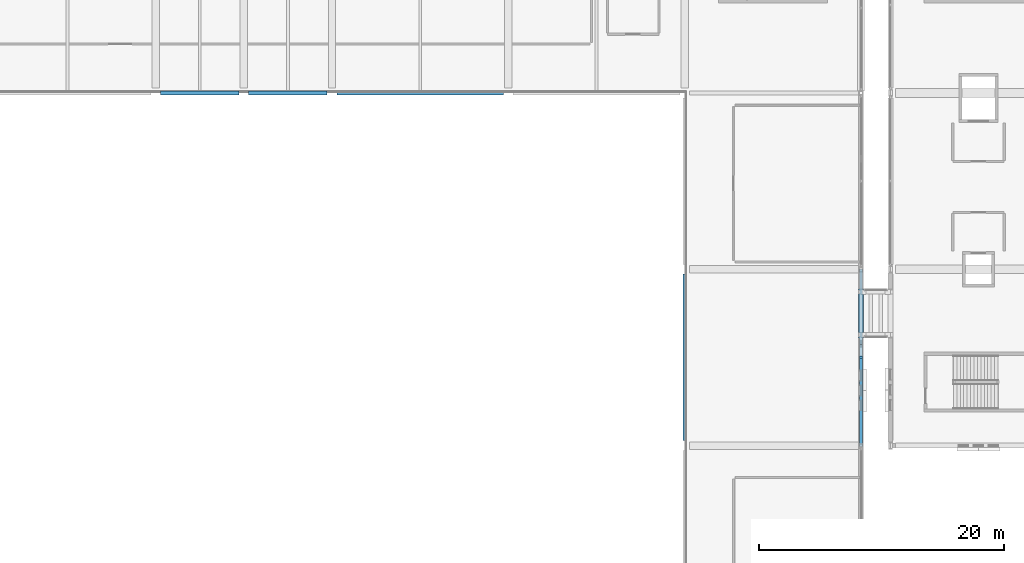
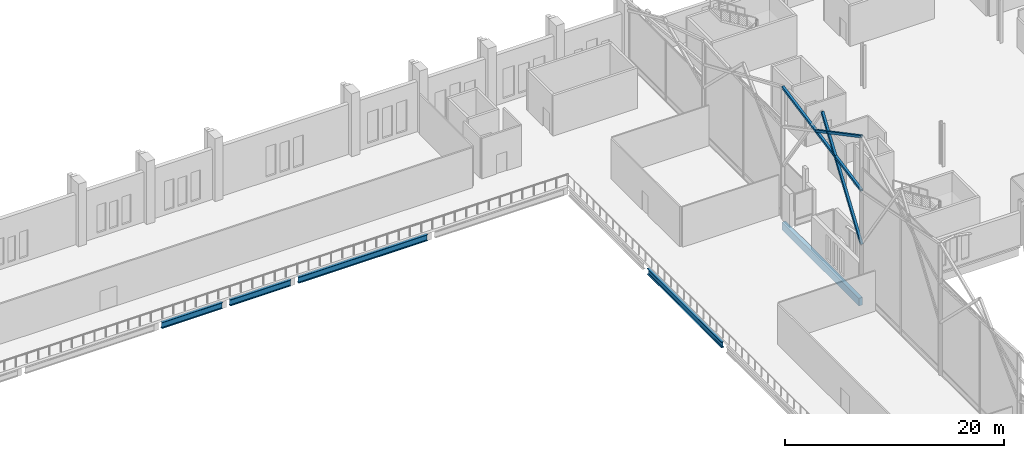
# One storey, part 72 of 220: 5 beams, 3 members.
"""IFC4 building model written with IfcOpenShell, lengths in metres."""

from ifc_helpers import new_model, si_unit, direction, frame, origin, origin_2d, place, context, subcontext, project, spatial, rectangle, hollow_rectangle, i_section, extrude, material, material_profile, profile_set, type_object, element, save


model = new_model("IFC4")

# Units and contexts
model_context = context("Model", 3, precision=1e-05, world=origin(), true_north=direction((0.0, 1.0)))
body_context = subcontext(model_context, "Body", "Model", "MODEL_VIEW")
ifc_project = project(units=[si_unit("LENGTHUNIT", "METRE"), si_unit("AREAUNIT", "SQUARE_METRE"), si_unit("VOLUMEUNIT", "CUBIC_METRE"), si_unit("PLANEANGLEUNIT", "RADIAN"), si_unit("MASSUNIT", "GRAM", prefix="KILO")], contexts=[model_context])

# Site, building, storey
site_placement = place(None, origin())
site = spatial("IfcSite", under=ifc_project, at=site_placement, CompositionType="ELEMENT")
building_placement = place(site_placement, origin())
building = spatial("IfcBuilding", under=site, at=building_placement, Name="Cendralis Lancet Convention Centre", CompositionType="ELEMENT")
storey_placement = place(building_placement, frame((0.0, 0.0, 5.39990234375)))
storey = spatial("IfcBuildingStorey", under=building, at=storey_placement, Name="L01", CompositionType="ELEMENT", Elevation=5.39990234375)

# Beams
ifc_material_1 = material(Name="Steel S355", Category="steel")
ifc_material_profile_1 = material_profile(ifc_material_1, i_section(OverallWidth=0.300048828125, OverallDepth=0.68994140625, WebThickness=0.014404296875, FlangeThickness=0.027099609375, FilletRadius=0.027099609375, at=origin_2d()), Name="HEA 700")
ifc_profile_set_1 = profile_set([ifc_material_profile_1], Name="Steel S355")
beam_type_1 = type_object("IfcBeamType", Name="STR-BM-SG08", PredefinedType="BEAM", material=ifc_profile_set_1)
for number, where, z_axis, x_axis, name in (
    (1, (65.199951171875, 122.39990234375, -0.625), (1.0, 0.0, 0.0), (0.0, 1.0, 0.0), "L01 Beam SG08 #1247"),
    (2, (72.39990234375, 122.39990234375, -0.625), (1.0, 0.0, 0.0), (0.0, 1.0, 0.0), "L01 Beam SG08 #1249"),
):
    element("IfcBeam", number, at=place(storey_placement, frame(where, z_axis=z_axis, x_axis=x_axis)), inside=storey, type_object=beam_type_1, Name=name, PredefinedType="BEAM", context=body_context, shape_type="SweptSolid", body=[
        extrude(i_section(OverallWidth=0.300048828125, OverallDepth=0.68994140625, WebThickness=0.014404296875, FlangeThickness=0.027099609375, FilletRadius=0.027099609375, at=origin_2d()), origin(), (0.0, 0.0, 1.0), 6.400146484375),
    ])
beam_1_placement = place(storey_placement, frame((79.60009765625, 122.39990234375, -0.625), z_axis=(1.0, 0.0, 0.0), x_axis=(0.0, 1.0, 0.0)))
element("IfcBeam", 3, at=beam_1_placement, inside=storey, type_object=beam_type_1, Name="L01 Beam SG08 #1251", PredefinedType="BEAM", context=body_context, shape_type="SweptSolid", body=[
    extrude(i_section(OverallWidth=0.300048828125, OverallDepth=0.68994140625, WebThickness=0.014404296875, FlangeThickness=0.027099609375, FilletRadius=0.027099609375, at=origin_2d()), origin(), (0.0, 0.0, 1.0), 13.599853515625),
])
ifc_material_profile_2 = material_profile(ifc_material_1, i_section(OverallWidth=0.300048828125, OverallDepth=0.639892578125, WebThickness=0.013427734375, FlangeThickness=0.02587890625, FilletRadius=0.027099609375, at=origin_2d()), Name="HEA 650")
ifc_profile_set_2 = profile_set([ifc_material_profile_2], Name="Steel S355")
beam_type_2 = type_object("IfcBeamType", Name="STR-BM-SG09", PredefinedType="BEAM", material=ifc_profile_set_2)
beam_2_placement = place(storey_placement, frame((108.0, 94.0, -0.599853515625), z_axis=(0.0, 1.0, 0.0), x_axis=(-1.0, 0.0, 0.0)))
element("IfcBeam", 4, at=beam_2_placement, inside=storey, type_object=beam_type_2, Name="L01 Beam SG09 #1293", PredefinedType="BEAM", context=body_context, shape_type="SweptSolid", body=[
    extrude(i_section(OverallWidth=0.300048828125, OverallDepth=0.639892578125, WebThickness=0.013427734375, FlangeThickness=0.02587890625, FilletRadius=0.027099609375, at=origin_2d()), origin(), (0.0, 0.0, 1.0), 13.60009765625),
])

# Members
ifc_material_profile_3 = material_profile(ifc_material_1, hollow_rectangle(XDim=0.25, YDim=0.25, WallThickness=0.012451171875, at=origin_2d()), Name="SHS 250x250x12.5")
ifc_profile_set_3 = profile_set([ifc_material_profile_3], Name="Steel S355")
member_type = type_object("IfcMemberType", Name="STR-BR-GB01", PredefinedType="BRACE", material=ifc_profile_set_3)
member_1_placement = place(storey_placement, frame((122.39990234375, 93.60009765625, 5.800048828125), z_axis=(0.0, 0.567480667836, 0.823386720583), x_axis=(-1.0, 0.0, 0.0)))
element("IfcMember", 5, at=member_1_placement, inside=storey, type_object=member_type, Name="Exhibition Gable Gothic Ogival Tracery Rib GBR1 #046", PredefinedType="BRACE", context=body_context, shape_type="SweptSolid", body=[
    extrude(hollow_rectangle(XDim=0.25, YDim=0.25, WallThickness=0.012451171875, at=origin_2d()), origin(), (0.0, 0.0, 1.0), 12.6875),
])
member_2_placement = place(storey_placement, frame((122.39990234375, 93.60009765625, 11.81201171875), z_axis=(0.0, 0.981689291491, 0.190489199097), x_axis=(-1.0, 0.0, 0.0)))
element("IfcMember", 6, at=member_2_placement, inside=storey, type_object=member_type, Name="Exhibition Gable Gothic Ogival Tracery Rib GBR1 #048", PredefinedType="BRACE", context=body_context, shape_type="SweptSolid", body=[
    extrude(hollow_rectangle(XDim=0.25, YDim=0.25, WallThickness=0.012451171875, at=origin_2d()), origin(), (0.0, 0.0, 1.0), 14.66845703125),
])
member_3_placement = place(storey_placement, frame((122.39990234375, 101.783935546875, 13.49267578125), z_axis=(0.0, -0.883836012973, 0.467796859943), x_axis=(1.0, 0.0, 0.0)))
element("IfcMember", 7, at=member_3_placement, inside=storey, type_object=member_type, Name="Exhibition Gable Split X-Brace Rib GBR1 #050", PredefinedType="BRACE", context=body_context, shape_type="SweptSolid", body=[
    extrude(hollow_rectangle(XDim=0.25, YDim=0.25, WallThickness=0.012451171875, at=origin_2d()), origin(), (0.0, 0.0, 1.0), 9.259521484375),
])

# Beam
ifc_material_2 = material(Name="Concrete G40 (C40/50)", Category="concrete")
ifc_material_profile_4 = material_profile(ifc_material_2, rectangle(XDim=0.39990234375, YDim=0.85009765625, at=origin_2d()), Name="RCB 400x850")
ifc_profile_set_4 = profile_set([ifc_material_profile_4], Name="Concrete G40 (C40/50)")
beam_type_3 = type_object("IfcBeamType", Name="STR-SP-SP02", PredefinedType="SPANDREL", material=ifc_profile_set_4)
beam_3_placement = place(storey_placement, frame((122.39990234375, 93.77783203125, -0.704833984375), z_axis=(0.0, 1.0, 0.0), x_axis=(-1.0, 0.0, 0.0)))
element("IfcBeam", 8, at=beam_3_placement, inside=storey, type_object=beam_type_3, Name="L01 Beam SP02 #1292", PredefinedType="SPANDREL", context=body_context, shape_type="SweptSolid", body=[
    extrude(rectangle(XDim=0.39990234375, YDim=0.85009765625, at=origin_2d()), origin(), (0.0, 0.0, 1.0), 14.04443359375),
])

save(model, "model.ifc")
